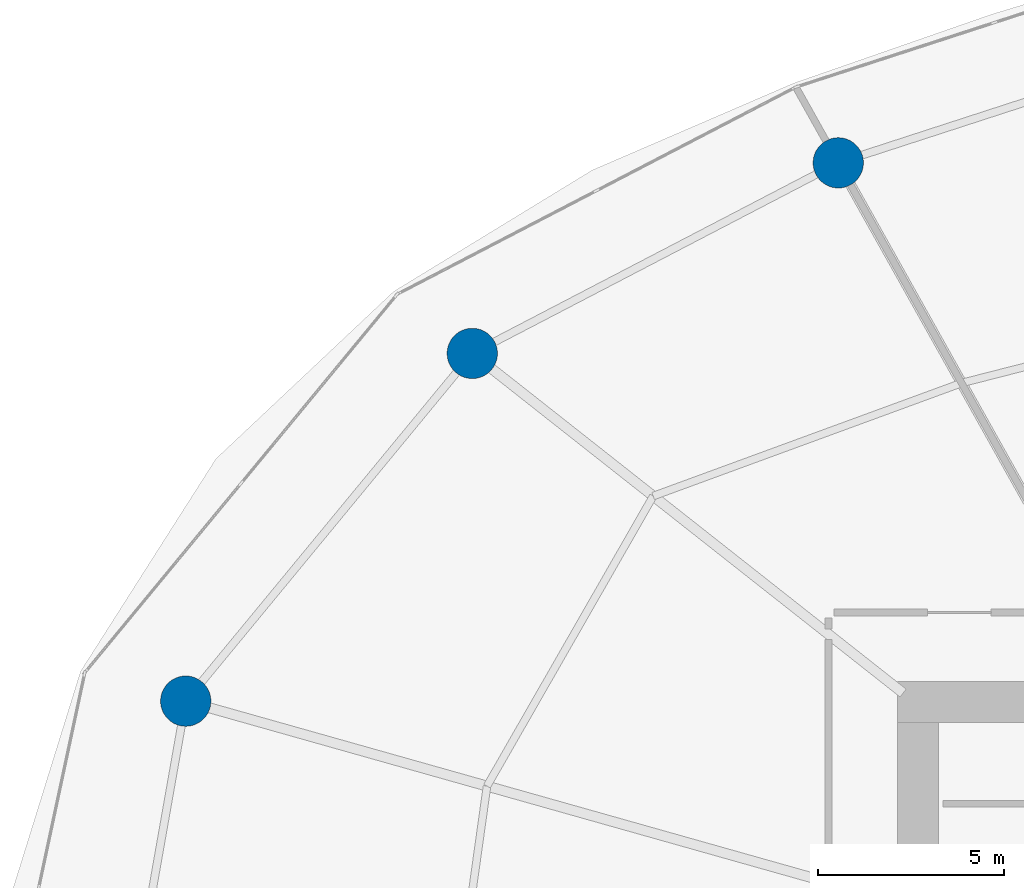
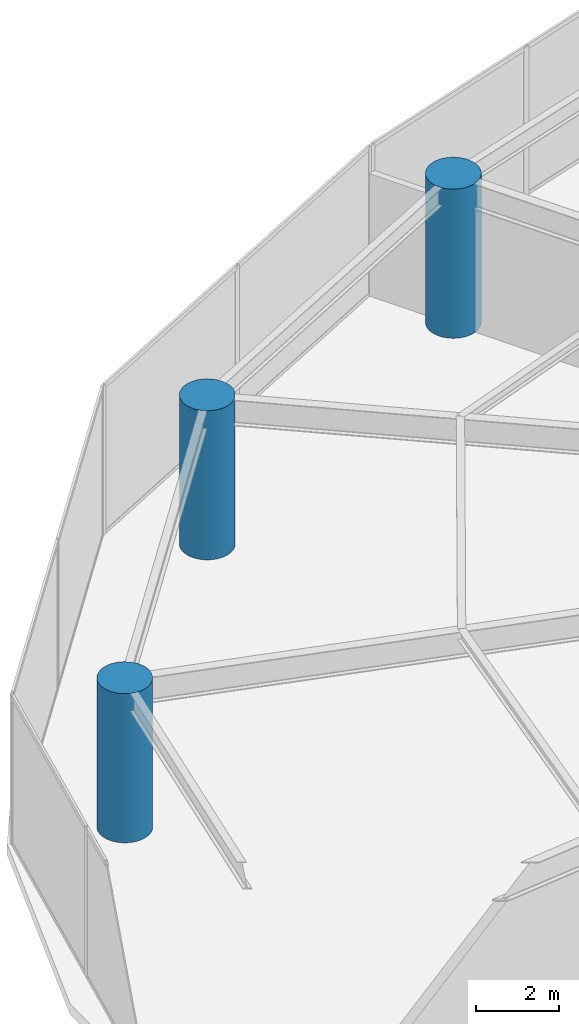
# One storey, part 4 of 22: 3 columns.
"""IFC4 building model written with IfcOpenShell, lengths in metres."""

from ifc_helpers import new_model, si_unit, direction, frame, origin, origin_2d, place, context, subcontext, project, spatial, circle, extrude, material, material_profile, profile_set, type_object, element, save


model = new_model("IFC4")

# Units and contexts
model_context = context("Model", 3, precision=1e-05, world=origin(), true_north=direction((0.0, 1.0)))
body_context = subcontext(model_context, "Body", "Model", "MODEL_VIEW")
ifc_project = project(units=[si_unit("LENGTHUNIT", "METRE"), si_unit("AREAUNIT", "SQUARE_METRE"), si_unit("VOLUMEUNIT", "CUBIC_METRE"), si_unit("PLANEANGLEUNIT", "RADIAN"), si_unit("MASSUNIT", "GRAM", prefix="KILO")], contexts=[model_context])

# Site, building, storey
site_placement = place(None, origin())
site = spatial("IfcSite", under=ifc_project, at=site_placement, CompositionType="ELEMENT")
building_placement = place(site_placement, origin())
building = spatial("IfcBuilding", under=site, at=building_placement, Name="Kazma Halo Residences", CompositionType="ELEMENT")
storey_placement = place(building_placement, frame((0.0, 0.0, 16.800048828125)))
storey = spatial("IfcBuildingStorey", under=building, at=storey_placement, Name="L03", CompositionType="ELEMENT", Elevation=16.800048828125)

# Columns
ifc_material = material(Name="Concrete C80/95", Category="concrete")
ifc_material_profile = material_profile(ifc_material, circle(Radius=0.675048828125, at=origin_2d()), Name="CIRC1350")
ifc_profile_set = profile_set([ifc_material_profile], Name="Concrete C80/95")
column_type = type_object("IfcColumnType", Name="COL-PERIM-1350", PredefinedType="COLUMN", material=ifc_profile_set)
for number, where, z_axis, x_axis, name in (
    (1, (35.110595703125, 65.015625, 0.0), (0.0, 0.0, 1.0), (1.0, 0.0, 0.0), "L03 perimeter ring column P05"),
    (2, (25.291015625, 59.90234375, 0.0), (0.0, 0.0, 1.0), (1.0, 0.0, 0.0), "L03 perimeter ring column P06"),
    (3, (17.602294921875, 50.572998046875, 0.0), (0.0, 0.0, 1.0), (1.0, 0.0, 0.0), "L03 perimeter ring column P07"),
):
    element("IfcColumn", number, at=place(storey_placement, frame(where, z_axis=z_axis, x_axis=x_axis)), inside=storey, type_object=column_type, Name=name, PredefinedType="COLUMN", context=body_context, shape_type="SweptSolid", body=[
        extrude(circle(Radius=0.675048828125, at=origin_2d()), origin(), (0.0, 0.0, 1.0), 4.39990234375),
    ])

save(model, "model.ifc")
